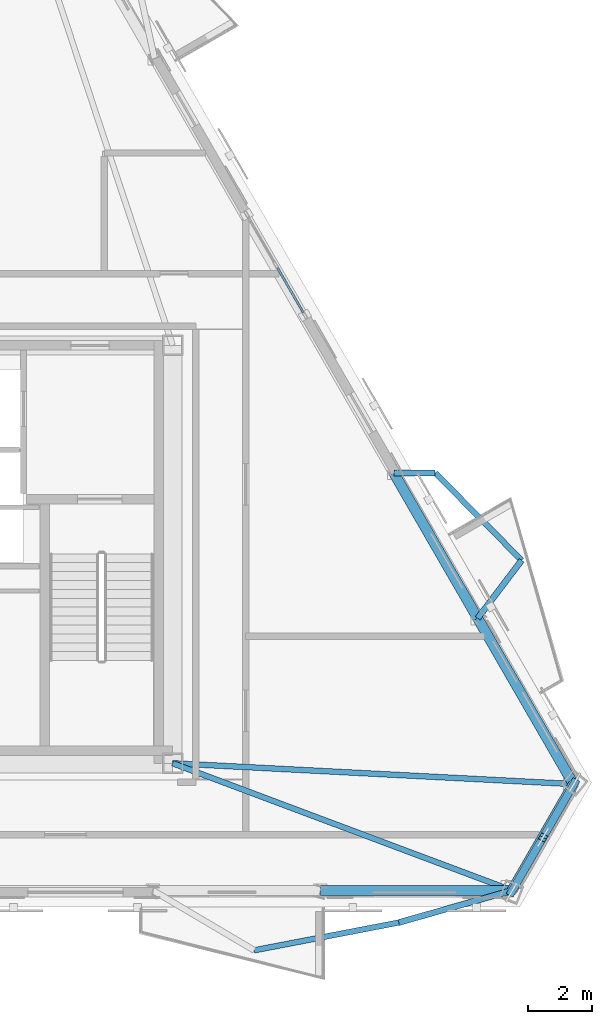
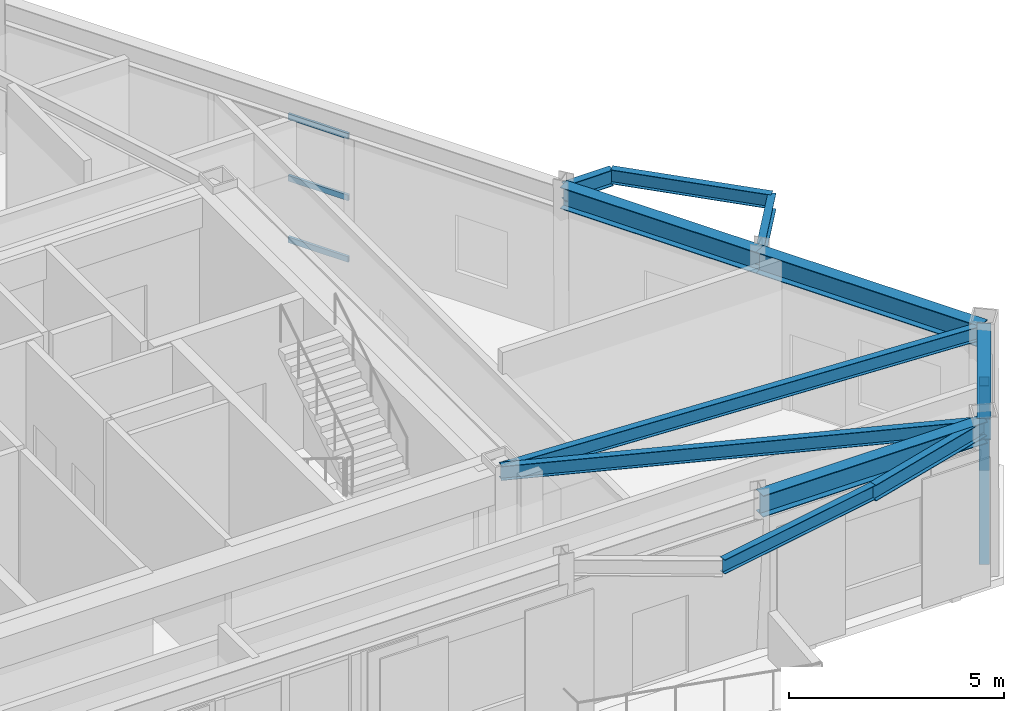
# One storey, part 7 of 16: 11 beams, 5 members, 1 element without a shape of its own.
"""IFC4 building model written with IfcOpenShell, lengths in metres."""

from ifc_helpers import new_model, si_unit, direction, frame, origin, origin_2d, place, context, subcontext, project, spatial, hollow_rectangle, i_section, extrude, material, layer, layer_set, material_profile, profile_set, type_object, element, aggregate, save


model = new_model("IFC4")

# Units and contexts
model_context = context("Model", 3, precision=1e-05, world=origin(), true_north=direction((0.0, 1.0)))
body_context = subcontext(model_context, "Body", "Model", "MODEL_VIEW")
ifc_project = project(units=[si_unit("LENGTHUNIT", "METRE"), si_unit("AREAUNIT", "SQUARE_METRE"), si_unit("VOLUMEUNIT", "CUBIC_METRE"), si_unit("PLANEANGLEUNIT", "RADIAN"), si_unit("MASSUNIT", "GRAM", prefix="KILO")], contexts=[model_context])

# Site, building, storey
site_placement = place(None, origin())
site = spatial("IfcSite", under=ifc_project, at=site_placement, CompositionType="ELEMENT")
building_placement = place(site_placement, origin())
building = spatial("IfcBuilding", under=site, at=building_placement, Name="Oramaril Tower", CompositionType="ELEMENT")
storey_placement = place(building_placement, frame((0.0, 0.0, 296.699951171875)))
storey = spatial("IfcBuildingStorey", under=building, at=storey_placement, Name="L78", CompositionType="ELEMENT", Elevation=296.699951171875)

# Beams
ifc_material_1 = material(Name="Steel ASTM A572 Gr 50", Category="steel")
ifc_material_profile_1 = material_profile(ifc_material_1, i_section(OverallWidth=0.19091796875, OverallDepth=0.45703125, WebThickness=0.009033203125, FlangeThickness=0.014404296875, at=origin_2d()), Name="W18X50")
ifc_profile_set_1 = profile_set([ifc_material_profile_1], Name="Steel ASTM A572 Gr 50")
beam_type_1 = type_object("IfcBeamType", Name="BT-BB1", PredefinedType="BEAM", material=ifc_profile_set_1)
beam_1_placement = place(storey_placement, frame((56.328857421875, 6.997802734375, 4.051513671875), z_axis=(-0.962227899272, -0.272245238456, 0.0), x_axis=(0.272245238456, -0.962227899272, 0.0)))
element("IfcBeam", 1, at=beam_1_placement, inside=storey, type_object=beam_type_1, Name="L78 Balcony Column-Framed Cantilever 02.2", PredefinedType="BEAM", context=body_context, shape_type="SweptSolid", body=[
    extrude(i_section(OverallWidth=0.19091796875, OverallDepth=0.45703125, WebThickness=0.009033203125, FlangeThickness=0.014404296875, at=origin_2d()), origin(), (0.0, 0.0, 1.0), 3.699951171875),
])
beam_2_placement = place(storey_placement, frame((55.248779296875, 15.56298828125, 4.051513671875), z_axis=(0.60422758719, 0.796811786358, 0.0), x_axis=(-0.796811786358, 0.60422758719, 0.0)))
element("IfcBeam", 2, at=beam_2_placement, inside=storey, type_object=beam_type_1, Name="L78 Balcony Column-Framed Cantilever 03.1", PredefinedType="BEAM", context=body_context, shape_type="SweptSolid", body=[
    extrude(i_section(OverallWidth=0.19091796875, OverallDepth=0.45703125, WebThickness=0.009033203125, FlangeThickness=0.014404296875, at=origin_2d()), origin(), (0.0, 0.0, 1.0), 2.286865234375),
])
beam_3_placement = place(storey_placement, frame((52.612548828125, 20.128662109375, 4.051513671875), z_axis=(0.999975761008, 0.006962571162, 0.0), x_axis=(-0.006962571162, 0.999975761008, 0.0)))
element("IfcBeam", 3, at=beam_3_placement, inside=storey, type_object=beam_type_1, Name="L78 Balcony Column-Framed Cantilever 03.2", PredefinedType="BEAM", context=body_context, shape_type="SweptSolid", body=[
    extrude(i_section(OverallWidth=0.19091796875, OverallDepth=0.45703125, WebThickness=0.009033203125, FlangeThickness=0.014404296875, at=origin_2d()), origin(), (0.0, 0.0, 1.0), 1.29736328125),
])
ifc_material_2 = material(Name="Steel ASTM A572 Gr 50", Category="steel")
ifc_material_profile_2 = material_profile(ifc_material_2, i_section(OverallWidth=0.177978515625, OverallDepth=0.404052734375, WebThickness=0.007568359375, FlangeThickness=0.010986328125, at=origin_2d()), Name="W16X36")
ifc_profile_set_2 = profile_set([ifc_material_profile_2], Name="Steel ASTM A572 Gr 50")
beam_type_2 = type_object("IfcBeamType", Name="BT-SB1", PredefinedType="BEAM", material=ifc_profile_set_2)
beam_4_placement = place(storey_placement, frame((45.64990234375, 11.0, 4.078125), z_axis=(0.936398661268, -0.350938095932, 0.0), x_axis=(0.350938095932, 0.936398661268, 0.0)))
element("IfcBeam", 4, at=beam_4_placement, inside=storey, type_object=beam_type_2, Name="L78 Radial Primary Beam RB-03", PredefinedType="BEAM", context=body_context, shape_type="SweptSolid", body=[
    extrude(i_section(OverallWidth=0.177978515625, OverallDepth=0.404052734375, WebThickness=0.007568359375, FlangeThickness=0.010986328125, at=origin_2d()), origin(), (0.0, 0.0, 1.0), 11.404296875),
])
beam_5_placement = place(storey_placement, frame((45.64990234375, 11.0, 4.078125), z_axis=(0.99865385396, -0.051869836808, 0.0), x_axis=(0.051869836808, 0.99865385396, 0.0)))
element("IfcBeam", 5, at=beam_5_placement, inside=storey, type_object=beam_type_2, Name="L78 Radial Primary Beam RB-04", PredefinedType="BEAM", context=body_context, shape_type="SweptSolid", body=[
    extrude(i_section(OverallWidth=0.177978515625, OverallDepth=0.404052734375, WebThickness=0.007568359375, FlangeThickness=0.010986328125, at=origin_2d()), origin(), (0.0, 0.0, 1.0), 12.62841796875),
])
beam_6_placement = place(storey_placement, frame((48.216552734375, 5.11474609375, 4.078125), z_axis=(0.98199254481, 0.188919670594, 0.0), x_axis=(-0.188919670594, 0.98199254481, 0.0)))
element("IfcBeam", 6, at=beam_6_placement, inside=storey, type_object=beam_type_2, Name="L78 Balcony Edge Tie Beam 02", PredefinedType="BEAM", context=body_context, shape_type="SweptSolid", body=[
    extrude(i_section(OverallWidth=0.177978515625, OverallDepth=0.404052734375, WebThickness=0.007568359375, FlangeThickness=0.010986328125, at=origin_2d()), origin(), (0.0, 0.0, 1.0), 4.635498046875),
])
beam_7_placement = place(storey_placement, frame((56.630615234375, 17.38525390625, 4.078125), z_axis=(-0.702994511648, 0.71119527318, 0.0), x_axis=(-0.71119527318, -0.702994511648, 0.0)))
element("IfcBeam", 7, at=beam_7_placement, inside=storey, type_object=beam_type_2, Name="L78 Balcony Edge Tie Beam 03", PredefinedType="BEAM", context=body_context, shape_type="SweptSolid", body=[
    extrude(i_section(OverallWidth=0.177978515625, OverallDepth=0.404052734375, WebThickness=0.007568359375, FlangeThickness=0.010986328125, at=origin_2d()), origin(), (0.0, 0.0, 1.0), 3.8701171875),
])
ifc_material_3 = material(Name="Steel ASTM A572 Gr 50", Category="steel")
ifc_material_profile_3 = material_profile(ifc_material_3, i_section(OverallWidth=0.324951171875, OverallDepth=0.612060546875, WebThickness=0.0126953125, FlangeThickness=0.01904296875, at=origin_2d()), Name="W24X104")
ifc_profile_set_3 = profile_set([ifc_material_profile_3], Name="Steel ASTM A572 Gr 50")
beam_type_3 = type_object("IfcBeamType", Name="BT-SP5", PredefinedType="SPANDREL", material=ifc_profile_set_3)
beam_8_placement = place(storey_placement, frame((50.3037109375, 6.997802734375, 3.97412109375), z_axis=(1.0, 0.0, 0.0), x_axis=(0.0, 1.0, 0.0)))
element("IfcBeam", 8, at=beam_8_placement, inside=storey, type_object=beam_type_3, Name="L78 Perimeter Spandrel 06", PredefinedType="SPANDREL", context=body_context, shape_type="SweptSolid", body=[
    extrude(i_section(OverallWidth=0.324951171875, OverallDepth=0.612060546875, WebThickness=0.0126953125, FlangeThickness=0.01904296875, at=origin_2d()), origin(), (0.0, 0.0, 1.0), 6.025146484375),
])
beam_9_placement = place(storey_placement, frame((56.328857421875, 6.997802734375, 3.97412109375), z_axis=(0.499977629202, 0.866038319186, 0.0), x_axis=(-0.866038319186, 0.499977629202, 0.0)))
element("IfcBeam", 9, at=beam_9_placement, inside=storey, type_object=beam_type_3, Name="L78 Perimeter Spandrel 07", PredefinedType="SPANDREL", context=body_context, shape_type="SweptSolid", body=[
    extrude(i_section(OverallWidth=0.324951171875, OverallDepth=0.612060546875, WebThickness=0.0126953125, FlangeThickness=0.01904296875, at=origin_2d()), origin(), (0.0, 0.0, 1.0), 3.864990234375),
])
beam_10_placement = place(storey_placement, frame((58.26123046875, 10.344970703125, 3.97412109375), z_axis=(-0.4999785048, 0.866037813688, 0.0), x_axis=(-0.866037813688, -0.4999785048, 0.0)))
element("IfcBeam", 10, at=beam_10_placement, inside=storey, type_object=beam_type_3, Name="L78 Perimeter Spandrel 08", PredefinedType="SPANDREL", context=body_context, shape_type="SweptSolid", body=[
    extrude(i_section(OverallWidth=0.324951171875, OverallDepth=0.612060546875, WebThickness=0.0126953125, FlangeThickness=0.01904296875, at=origin_2d()), origin(), (0.0, 0.0, 1.0), 6.025146484375),
])
beam_11_placement = place(storey_placement, frame((55.248779296875, 15.56298828125, 3.97412109375), z_axis=(-0.500033779542, 0.866005900279, 0.0), x_axis=(-0.866005900279, -0.500033779542, 0.0)))
element("IfcBeam", 11, at=beam_11_placement, inside=storey, type_object=beam_type_3, Name="L78 Perimeter Spandrel 09", PredefinedType="SPANDREL", context=body_context, shape_type="SweptSolid", body=[
    extrude(i_section(OverallWidth=0.324951171875, OverallDepth=0.612060546875, WebThickness=0.0126953125, FlangeThickness=0.01904296875, at=origin_2d()), origin(), (0.0, 0.0, 1.0), 5.272216796875),
])

# Curtain wall, members
ifc_material_4 = material(Name="Anodised Aluminium 6063-T6", Category="aluminium")
ifc_layer = layer(ifc_material_4, 0.219970703125)
ifc_layer_set = layer_set([ifc_layer], Name="CWT-SYS5")
curtain_wall_type = type_object("IfcCurtainWallType", Name="CWT-SYS5", PredefinedType="NOTDEFINED", material=ifc_layer_set)
curtain_wall_placement = place(storey_placement, origin())
curtain_wall = element("IfcCurtainWall", 12, at=curtain_wall_placement, inside=storey, type_object=curtain_wall_type, Name="L78 Unitised Curtain Wall CW-5", PredefinedType="NOTDEFINED")
ifc_material_5 = material(Name="Anodised Aluminium 6063-T6", Category="aluminium")
ifc_material_profile_4 = material_profile(ifc_material_5, hollow_rectangle(XDim=0.070068359375, YDim=0.159912109375, WallThickness=0.00390625, at=origin_2d()), Name="CWT160X70")
ifc_profile_set_4 = profile_set([ifc_material_profile_4], Name="Anodised Aluminium 6063-T6")
member_type_1 = type_object("IfcMemberType", Name="MT-CWT1", PredefinedType="USERDEFINED", material=ifc_profile_set_4)
member_1_placement = place(storey_placement, frame((49.7607421875, 25.18115234375, 0.080078125), z_axis=(-0.500061642096, 0.865989811779, 0.0), x_axis=(-0.865989811779, -0.500061642096, 0.0)))
member_1 = element("IfcMember", 13, at=member_1_placement, type_object=member_type_1, Name="CW-5 transom 1.1", ObjectType="TRANSOM", PredefinedType="USERDEFINED", context=body_context, shape_type="SweptSolid", body=[
    extrude(hollow_rectangle(XDim=0.070068359375, YDim=0.159912109375, WallThickness=0.00390625, at=origin_2d()), origin(), (0.0, 0.0, 1.0), 1.619873046875),
])
member_2_placement = place(storey_placement, frame((49.7607421875, 25.18115234375, 1.8291015625), z_axis=(-0.500061642096, 0.865989811779, 0.0), x_axis=(-0.865989811779, -0.500061642096, 0.0)))
member_2 = element("IfcMember", 14, at=member_2_placement, type_object=member_type_1, Name="CW-5 transom 1.2", ObjectType="TRANSOM", PredefinedType="USERDEFINED", context=body_context, shape_type="SweptSolid", body=[
    extrude(hollow_rectangle(XDim=0.070068359375, YDim=0.159912109375, WallThickness=0.00390625, at=origin_2d()), origin(), (0.0, 0.0, 1.0), 1.619873046875),
])
member_3_placement = place(storey_placement, frame((49.7607421875, 25.18115234375, 3.578125), z_axis=(-0.500061642096, 0.865989811779, 0.0), x_axis=(-0.865989811779, -0.500061642096, 0.0)))
member_3 = element("IfcMember", 15, at=member_3_placement, type_object=member_type_1, Name="CW-5 transom 1.3", ObjectType="TRANSOM", PredefinedType="USERDEFINED", context=body_context, shape_type="SweptSolid", body=[
    extrude(hollow_rectangle(XDim=0.070068359375, YDim=0.159912109375, WallThickness=0.00390625, at=origin_2d()), origin(), (0.0, 0.0, 1.0), 1.619873046875),
])
aggregate(curtain_wall, [member_1, member_2, member_3])

# Members
ifc_material_6 = material(Name="Steel ASTM A572 Gr 50", Category="steel")
ifc_material_profile_5 = material_profile(ifc_material_6, hollow_rectangle(XDim=0.25, YDim=0.25, WallThickness=0.011962890625, at=origin_2d()), Name="HSS250X250X12")
ifc_profile_set_5 = profile_set([ifc_material_profile_5], Name="Steel ASTM A572 Gr 50")
member_type_2 = type_object("IfcMemberType", Name="MT-KB3", PredefinedType="BRACE", material=ifc_profile_set_5)
for number, where, z_axis, x_axis, name in (
    (16, (56.30712890625, 6.94140625, 0.179931640625), (0.232437480683, 0.40260678333, 0.885370315513), (-0.866032532966, 0.499987651691, 0.0), "L78 Perimeter Chevron Brace KB-2A"),
    (17, (58.29931640625, 10.391845703125, 0.179931640625), (-0.23244281179, -0.402559046106, 0.885390622068), (0.866001893104, -0.500040719483, 0.0), "L78 Perimeter Chevron Brace KB-2B"),
):
    element("IfcMember", number, at=place(storey_placement, frame(where, z_axis=z_axis, x_axis=x_axis)), inside=storey, type_object=member_type_2, Name=name, PredefinedType="BRACE", context=body_context, shape_type="SweptSolid", body=[
        extrude(hollow_rectangle(XDim=0.25, YDim=0.25, WallThickness=0.011962890625, at=origin_2d()), origin(), (0.0, 0.0, 1.0), 4.285400390625),
    ])

save(model, "model.ifc")
